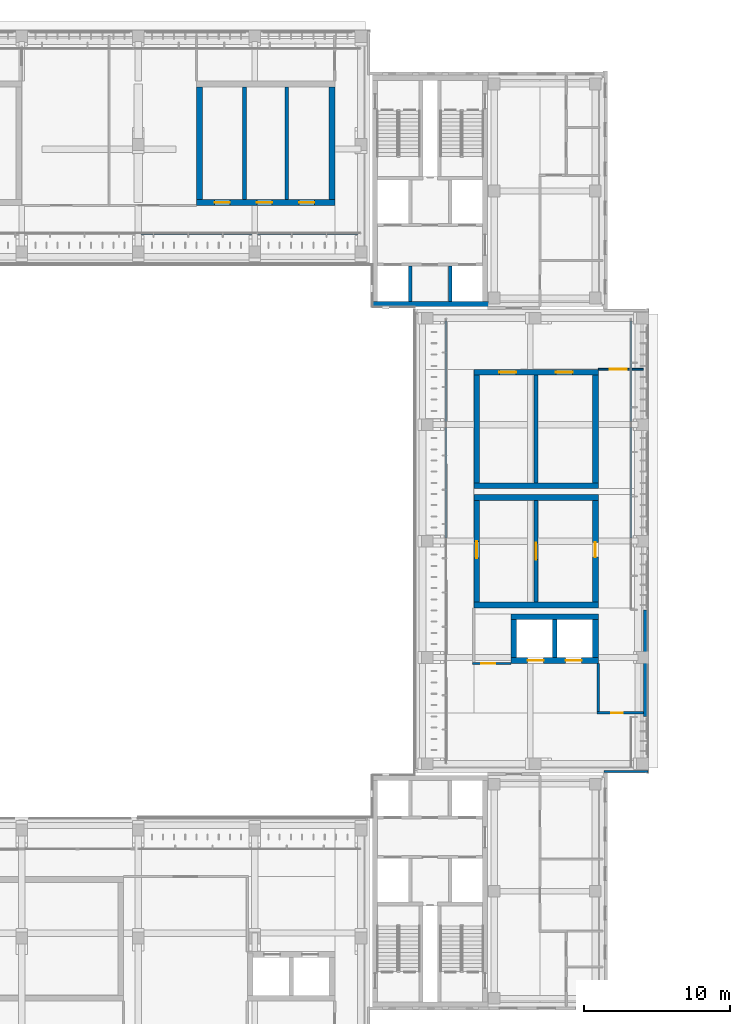
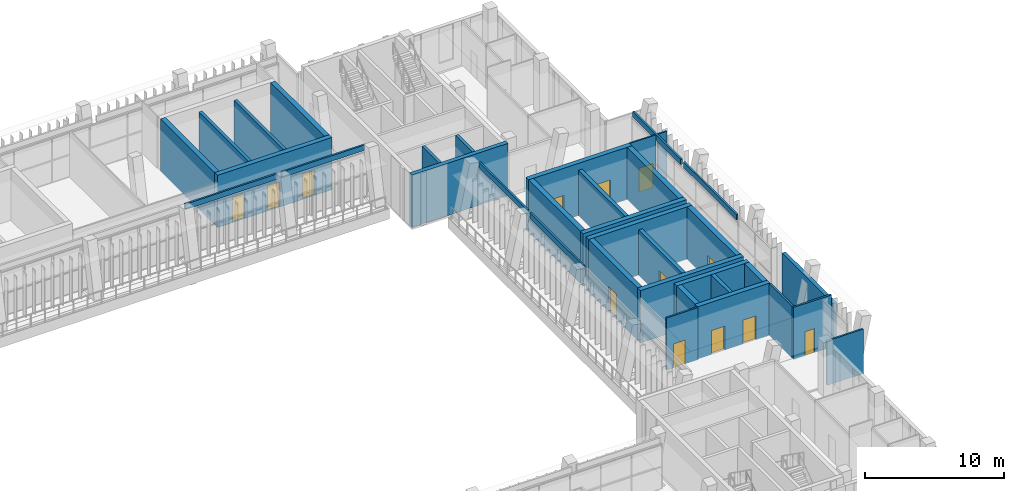
# One storey, part 66 of 89: 36 walls, 13 doors, 13 openings.
"""IFC4 building model written with IfcOpenShell, lengths in metres."""

import ifcopenshell
import ifcopenshell.guid

model = None  # the IFC model being written
_history = None  # IfcOwnerHistory: only IFC2X3 demands one
_inside = {}  # id of a spatial element -> (the spatial element, [elements in it])
_under = {}  # id of a project, library or spatial element -> (it, [spatial elements below it])
_declared = {}  # id of a project -> (the project, [libraries it declares])
_typed = {}  # id of a type object -> (the type object, [elements of that type])
_made_of = {}  # id of a material, layer set ... -> (it, [elements and type objects made of it])


def new_model(schema):
    """Start an empty IFC model of exactly this schema.

    Asked for "IFC4X3", IfcOpenShell would pick the latest addendum, in which some entities
    have other attributes; the version numbers below select the first issue.
    IFC2X3 requires an IfcOwnerHistory on every rooted entity: one is made here for all.
    """
    global model, _history
    if schema == "IFC4X3":
        model = ifcopenshell.file(schema_version=(4, 3, 0, 0))
    else:
        model = ifcopenshell.file(schema=schema)
    _inside.clear()
    _under.clear()
    _declared.clear()
    _typed.clear()
    _made_of.clear()
    _history = None
    if model.schema == "IFC2X3":
        org = make("IfcOrganization", Name="unknown")
        user = make(
            "IfcPersonAndOrganization",
            ThePerson=make("IfcPerson", FamilyName="unknown"),
            TheOrganization=org,
        )
        app = make(
            "IfcApplication",
            ApplicationDeveloper=org,
            Version="unknown",
            ApplicationFullName="unknown",
            ApplicationIdentifier="unknown",
        )
        _history = make(
            "IfcOwnerHistory",
            OwningUser=user,
            OwningApplication=app,
            ChangeAction="ADDED",
            CreationDate=0,
        )
    return model


def make(cls, **values):
    """One entity of the class cls with the attributes given. An attribute that is None is left unset."""
    return model.create_entity(
        cls, **{name: value for name, value in values.items() if value is not None}
    )


def rooted(cls, **values):
    """An entity with a GlobalId (a new one), such as an element, a storey or a relation."""
    return make(cls, GlobalId=ifcopenshell.guid.new(), OwnerHistory=_history, **values)


def si_unit(unit_type, name, prefix=None):
    """IfcSIUnit, for example si_unit("LENGTHUNIT", "METRE", prefix="MILLI")."""
    return make("IfcSIUnit", UnitType=unit_type, Prefix=prefix, Name=name)


def assignment(units):
    """IfcUnitAssignment: the units of a project."""
    return None if units is None else make("IfcUnitAssignment", Units=units)


def point(xyz):
    """IfcCartesianPoint."""
    return None if xyz is None else make("IfcCartesianPoint", Coordinates=xyz)


def direction(xyz):
    """IfcDirection."""
    return None if xyz is None else make("IfcDirection", DirectionRatios=xyz)


def frame(location, z_axis=None, x_axis=None):
    """IfcAxis2Placement3D, a coordinate frame: its origin and axes. An axis left out is left unset."""
    return make(
        "IfcAxis2Placement3D",
        Location=point(location),
        Axis=direction(z_axis),
        RefDirection=direction(x_axis),
    )


def frame_2d(location, x_axis=None):
    """IfcAxis2Placement2D, a coordinate frame in the plane: its origin and x axis."""
    return make(
        "IfcAxis2Placement2D", Location=point(location), RefDirection=direction(x_axis)
    )


def origin():
    """The frame at (0, 0, 0) with its axes left unset."""
    return frame((0.0, 0.0, 0.0))


def place(relative_to, where):
    """IfcLocalPlacement: puts the frame where relative to a parent placement (None: the world)."""
    return make(
        "IfcLocalPlacement", PlacementRelTo=relative_to, RelativePlacement=where
    )


def context(
    kind, dimensions, precision=None, world=None, true_north=None, identifier=None
):
    """IfcGeometricRepresentationContext, for example the 3D "Model" context."""
    return make(
        "IfcGeometricRepresentationContext",
        ContextIdentifier=identifier,
        ContextType=kind,
        CoordinateSpaceDimension=dimensions,
        Precision=precision,
        WorldCoordinateSystem=world,
        TrueNorth=true_north,
    )


def subcontext(parent, identifier, kind, view, scale=None):
    """IfcGeometricRepresentationSubContext, for example "Body" below "Model"."""
    return make(
        "IfcGeometricRepresentationSubContext",
        ContextIdentifier=identifier,
        ContextType=kind,
        ParentContext=parent,
        TargetScale=scale,
        TargetView=view,
    )


def project(units=None, contexts=None):
    """IfcProject with its units and contexts."""
    return rooted(
        "IfcProject",
        Name="project",
        RepresentationContexts=contexts,
        UnitsInContext=assignment(units),
    )


def spatial(cls, under=None, at=None, **own):
    """A site, building, storey or space (cls), placed at a placement, below another one or the project."""
    s = rooted(cls, ObjectPlacement=at, **own)
    if under is not None:
        _under.setdefault(under.id(), (under, []))[1].append(s)
    return s


def profile(cls, at=None, kind="AREA", **sizes):
    """A parametric profile (cls). Its sizes go by their IFC names, for example OverallWidth=200.0."""
    return make(cls, ProfileType=kind, Position=at, **sizes)


def rectangle(**sizes):
    """IfcRectangleProfileDef."""
    return profile("IfcRectangleProfileDef", **sizes)


def extrude(swept, where, along, depth):
    """IfcExtrudedAreaSolid: the profile swept, set in the frame where, extruded along a direction by depth."""
    return make(
        "IfcExtrudedAreaSolid",
        SweptArea=swept,
        Position=where,
        ExtrudedDirection=direction(along),
        Depth=depth,
    )


def shape(context_of_items, identifier, shape_type, items):
    """IfcShapeRepresentation: the items that make up one representation, for example the "Body"."""
    return make(
        "IfcShapeRepresentation",
        ContextOfItems=context_of_items,
        RepresentationIdentifier=identifier,
        RepresentationType=shape_type,
        Items=items,
    )


def material(Name=None, Category=None):
    """IfcMaterial."""
    return make("IfcMaterial", Name=Name, Category=Category)


def layer(
    of_material, thickness, ventilated=None, Name=None, Category=None, Priority=None
):
    """IfcMaterialLayer: one layer of a wall or slab, of a material (None: an air gap)."""
    return make(
        "IfcMaterialLayer",
        Material=of_material,
        LayerThickness=thickness,
        IsVentilated=ventilated,
        Name=Name,
        Category=Category,
        Priority=Priority,
    )


def layer_set(layers, Name=None):
    """IfcMaterialLayerSet."""
    return make("IfcMaterialLayerSet", MaterialLayers=layers, LayerSetName=Name)


def made_of(thing, what):
    """Note that an element or type object is made of a material, layer set ...; save() writes the relation."""
    if what is not None:
        _made_of.setdefault(what.id(), (what, []))[1].append(thing)
    return thing


def type_object(cls, material=None, **own):
    """A type object (cls), such as IfcWallType, which elements share."""
    return made_of(rooted(cls, **own), material)


def element(
    cls,
    number,
    at=None,
    inside=None,
    cuts=None,
    type_object=None,
    material=None,
    context=None,
    identifier="Body",
    shape_type=None,
    held_by="IfcProductDefinitionShape",
    body=None,
    shapes=None,
    **own,
):
    """One element of the class cls, such as IfcWall. Its Tag is "e" and its number.

    at: its placement. inside: the storey or other place that contains it. cuts: it is an
    opening in that element (IfcRelVoidsElement). A single representation is given by context,
    identifier, shape_type and body (its items); several are given by shapes. held_by: the class
    of the entity that holds the representations. save() writes the other relations.
    """
    e = rooted(cls, Tag="e%d" % number, ObjectPlacement=at, **own)
    if body is not None:
        shapes = [shape(context, identifier, shape_type, body)]
    if shapes is not None:
        e.Representation = make(held_by, Representations=shapes)
    if inside is not None:
        _inside.setdefault(inside.id(), (inside, []))[1].append(e)
    if cuts is not None:
        rooted(
            "IfcRelVoidsElement", RelatingBuildingElement=cuts, RelatedOpeningElement=e
        )
    if type_object is not None:
        _typed.setdefault(type_object.id(), (type_object, []))[1].append(e)
    return made_of(e, material)


def fill(opening, filler):
    """IfcRelFillsElement: the door or window that sits in an opening."""
    return rooted(
        "IfcRelFillsElement",
        RelatingOpeningElement=opening,
        RelatedBuildingElement=filler,
    )


def aggregate(whole, parts):
    """IfcRelAggregates: a whole, such as a stair, and the parts it consists of."""
    return rooted("IfcRelAggregates", RelatingObject=whole, RelatedObjects=parts)


def save(model, path):
    """Write the relations noted so far, then the file.

    IfcRelAggregates (storeys below a building ...), IfcRelContainedInSpatialStructure (elements
    in a storey), IfcRelDefinesByType, IfcRelAssociatesMaterial and IfcRelDeclares: one each for
    every whole, place, type object, material and project.
    """
    for whole, parts in _under.values():
        aggregate(whole, parts)
    for where, things in _inside.values():
        rooted(
            "IfcRelContainedInSpatialStructure",
            RelatedElements=things,
            RelatingStructure=where,
        )
    for kind, things in _typed.values():
        rooted("IfcRelDefinesByType", RelatedObjects=things, RelatingType=kind)
    for what, things in _made_of.values():
        rooted("IfcRelAssociatesMaterial", RelatedObjects=things, RelatingMaterial=what)
    for by, libraries in _declared.values():
        rooted("IfcRelDeclares", RelatingContext=by, RelatedDefinitions=libraries)
    model.write(path)


model = new_model("IFC4")

# Units and contexts
model_context = context("Model", 3, precision=1e-05, world=origin(), true_north=direction((0.0, 1.0)))
body_context = subcontext(model_context, "Body", "Model", "MODEL_VIEW")
ifc_project = project(units=[si_unit("LENGTHUNIT", "METRE"), si_unit("AREAUNIT", "SQUARE_METRE"), si_unit("VOLUMEUNIT", "CUBIC_METRE"), si_unit("PLANEANGLEUNIT", "RADIAN"), si_unit("MASSUNIT", "GRAM", prefix="KILO")], contexts=[model_context])

# Site, building, storey
site_placement = place(None, origin())
site = spatial("IfcSite", under=ifc_project, at=site_placement, CompositionType="ELEMENT")
building_placement = place(site_placement, origin())
building = spatial("IfcBuilding", under=site, at=building_placement, Name="Lantern Court Media Centre", CompositionType="ELEMENT")
storey_placement = place(building_placement, frame((0.0, 0.0, 14.39990234375)))
storey = spatial("IfcBuildingStorey", under=building, at=storey_placement, Name="L03", CompositionType="ELEMENT", Elevation=14.39990234375)

# Walls
ifc_material_1 = material(Name="Acoustic gypsum board")
ifc_layer_1 = layer(ifc_material_1, 0.25)
ifc_layer_set_1 = layer_set([ifc_layer_1], Name="Acoustic gypsum board")
wall_type_1 = type_object("IfcWallType", Name="Acoustic partition 250", PredefinedType="PARTITIONING", material=ifc_layer_set_1)
for number, where, z_axis, x_axis, name in (
    (1, (71.300048828125, 103.455078125, 0.0), (0.0, 0.0, 1.0), (0.0, 1.0, 0.0), "L03 partition 020"),
    (2, (74.199951171875, 103.455078125, 0.0), (0.0, 0.0, 1.0), (0.0, 1.0, 0.0), "L03 partition 021"),
):
    element("IfcWall", number, at=place(storey_placement, frame(where, z_axis=z_axis, x_axis=x_axis)), inside=storey, type_object=wall_type_1, Name=name, PredefinedType="PARTITIONING", context=body_context, shape_type="SweptSolid", body=[
        extrude(rectangle(XDim=7.739990234375, YDim=0.25, at=frame_2d((3.8701171875, 0.0))), origin(), (0.0, 0.0, 1.0), 4.080078125),
    ])

# Wall, opening, door
ifc_material_2 = material(Name="Gypsum board partition")
ifc_layer_2 = layer(ifc_material_2, 0.125)
ifc_layer_set_2 = layer_set([ifc_layer_2], Name="Gypsum board partition")
wall_type_2 = type_object("IfcWallType", Name="Corridor partition 125", PredefinedType="PARTITIONING", material=ifc_layer_set_2)
wall_1_placement = place(storey_placement, frame((95.60498046875, 91.800048828125, 0.0), z_axis=(0.0, 0.0, 1.0), x_axis=(1.0, 0.0, 0.0)))
wall_1 = element("IfcWall", 3, at=wall_1_placement, inside=storey, type_object=wall_type_2, Name="L03 partition 035", PredefinedType="PARTITIONING", context=body_context, shape_type="SweptSolid", body=[
    extrude(rectangle(XDim=2.1650390625, YDim=0.125, at=frame_2d((1.08251953125, 0.0))), origin(), (0.0, 0.0, 1.0), 4.56005859375),
])
opening_1_placement = place(wall_1_placement, frame((0.798095703125, 0.0, 0.0)))
opening_1 = element("IfcOpeningElement", 4, at=opening_1_placement, cuts=wall_1, Name="Opening L03-033", PredefinedType="OPENING", context=body_context, shape_type="SweptSolid", body=[
    extrude(rectangle(XDim=1.14990234375, YDim=2.10009765625, at=frame_2d((0.574951171875, 1.050048828125))), frame((0.0, 0.072509765625, 0.0), z_axis=(0.0, -1.0, 0.0), x_axis=(1.0, 0.0, 0.0)), (0.0, 0.0, 1.0), 0.14501953125),
])
ifc_material_3 = material(Name="Solid-core timber door leaf", Category="wood")
door_type_1 = type_object("IfcDoorType", Name="Single door 1150x2100", OperationType="NOTDEFINED", PredefinedType="DOOR", material=ifc_material_3)
door_1_placement = place(opening_1_placement, frame((1.14990234375, 0.0, 0.0), z_axis=(0.0, 0.0, 1.0), x_axis=(-1.0, 0.0, 0.0)))
door_1 = element("IfcDoor", 5, at=door_1_placement, inside=storey, type_object=door_type_1, Name="L03 Sound Library door", OperationType="SINGLE_SWING_RIGHT", OverallHeight=2.10009765625, OverallWidth=1.14990234375, PredefinedType="DOOR", context=body_context, shape_type="SweptSolid", body=[
    extrude(rectangle(XDim=1.14990234375, YDim=2.10009765625, at=frame_2d((0.574951171875, 1.050048828125))), frame((0.0, 0.02490234375, 0.0), z_axis=(0.0, -1.0, 0.0), x_axis=(1.0, 0.0, 0.0)), (0.0, 0.0, 1.0), 0.050048828125),
])
fill(opening_1, door_1)

# Walls
wall_2_placement = place(storey_placement, frame((97.929931640625, 91.800048828125, 0.0), z_axis=(0.0, 0.0, 1.0), x_axis=(1.0, 0.0, 0.0)))
element("IfcWall", 6, at=wall_2_placement, inside=storey, type_object=wall_type_2, Name="L03 partition 036", PredefinedType="PARTITIONING", context=body_context, shape_type="SweptSolid", body=[
    extrude(rectangle(XDim=0.77001953125, YDim=0.125, at=frame_2d((0.385009765625, 0.0))), origin(), (0.0, 0.0, 1.0), 4.56005859375),
])
ifc_material_4 = material(Name="Insulated rendered blockwork", Category="masonry")
ifc_layer_3 = layer(ifc_material_4, 0.14990234375)
ifc_layer_set_3 = layer_set([ifc_layer_3], Name="Insulated rendered blockwork")
wall_type_3 = type_object("IfcWallType", Name="Head infill wall 150", PredefinedType="SOLIDWALL", material=ifc_layer_set_3)
wall_3_placement = place(storey_placement, frame((64.199951171875, 101.14990234375, 4.10009765625), z_axis=(0.0, 0.0, 1.0), x_axis=(1.0, 0.0, 0.0)))
element("IfcWall", 7, at=wall_3_placement, inside=storey, type_object=wall_type_3, Name="Head infill wall N inner L03", PredefinedType="SOLIDWALL", context=body_context, shape_type="SweptSolid", body=[
    extrude(rectangle(XDim=7.60009765625, YDim=0.14990234375, at=frame_2d((3.800048828125, 0.0))), origin(), (0.0, 0.0, 1.0), 0.47998046875),
])
wall_4_placement = place(storey_placement, frame((72.199951171875, 101.14990234375, 4.10009765625), z_axis=(0.0, 0.0, 1.0), x_axis=(1.0, 0.0, 0.0)))
element("IfcWall", 8, at=wall_4_placement, inside=storey, type_object=wall_type_3, Name="Head infill wall N inner L03", PredefinedType="SOLIDWALL", context=body_context, shape_type="SweptSolid", body=[
    extrude(rectangle(XDim=6.900146484375, YDim=0.14990234375, at=frame_2d((3.4501953125, 0.0))), origin(), (0.0, 0.0, 1.0), 0.47998046875),
])
wall_5_placement = place(storey_placement, frame((97.85009765625, 80.199951171875, 4.10009765625), z_axis=(0.0, 0.0, 1.0), x_axis=(0.0, 1.0, 0.0)))
element("IfcWall", 9, at=wall_5_placement, inside=storey, type_object=wall_type_3, Name="Head infill wall E outer L03", PredefinedType="SOLIDWALL", context=body_context, shape_type="SweptSolid", body=[
    extrude(rectangle(XDim=7.60009765625, YDim=0.14990234375, at=frame_2d((3.800048828125, 0.0))), origin(), (0.0, 0.0, 1.0), 0.47998046875),
])
wall_6_placement = place(storey_placement, frame((97.85009765625, 88.199951171875, 4.10009765625), z_axis=(0.0, 0.0, 1.0), x_axis=(0.0, 1.0, 0.0)))
element("IfcWall", 10, at=wall_6_placement, inside=storey, type_object=wall_type_3, Name="Head infill wall E outer L03", PredefinedType="SOLIDWALL", context=body_context, shape_type="SweptSolid", body=[
    extrude(rectangle(XDim=6.900146484375, YDim=0.14990234375, at=frame_2d((3.4501953125, 0.0))), origin(), (0.0, 0.0, 1.0), 0.47998046875),
])
wall_7_placement = place(storey_placement, frame((85.14990234375, 80.199951171875, 4.10009765625), z_axis=(0.0, 0.0, 1.0), x_axis=(0.0, 1.0, 0.0)))
element("IfcWall", 11, at=wall_7_placement, inside=storey, type_object=wall_type_3, Name="Head infill wall E inner L03", PredefinedType="SOLIDWALL", context=body_context, shape_type="SweptSolid", body=[
    extrude(rectangle(XDim=7.60009765625, YDim=0.14990234375, at=frame_2d((3.800048828125, 0.0))), origin(), (0.0, 0.0, 1.0), 0.47998046875),
])
wall_8_placement = place(storey_placement, frame((85.14990234375, 88.199951171875, 4.10009765625), z_axis=(0.0, 0.0, 1.0), x_axis=(0.0, 1.0, 0.0)))
element("IfcWall", 12, at=wall_8_placement, inside=storey, type_object=wall_type_3, Name="Head infill wall E inner L03", PredefinedType="SOLIDWALL", context=body_context, shape_type="SweptSolid", body=[
    extrude(rectangle(XDim=6.900146484375, YDim=0.14990234375, at=frame_2d((3.4501953125, 0.0))), origin(), (0.0, 0.0, 1.0), 0.47998046875),
])
ifc_material_5 = material(Name="Honed limestone cladding on blockwork", Category="masonry")
ifc_layer_4 = layer(ifc_material_5, 0.139892578125)
ifc_layer_set_4 = layer_set([ifc_layer_4], Name="Honed limestone cladding on blockwork")
wall_type_4 = type_object("IfcWallType", Name="Limestone closure wall 140", PredefinedType="SOLIDWALL", material=ifc_layer_set_4)
wall_9_placement = place(storey_placement, frame((96.0, 64.169921875, 0.0), z_axis=(0.0, 0.0, 1.0), x_axis=(1.0, 0.0, 0.0)))
element("IfcWall", 13, at=wall_9_placement, inside=storey, type_object=wall_type_4, Name="Limestone closure wall E-SE L03", PredefinedType="SOLIDWALL", context=body_context, shape_type="SweptSolid", body=[
    extrude(rectangle(XDim=3.0, YDim=0.139892578125, at=frame_2d((1.5, 0.0))), origin(), (0.0, 0.0, 1.0), 3.900146484375),
])
ifc_layer_5 = layer(ifc_material_5, 0.300048828125)
ifc_layer_set_5 = layer_set([ifc_layer_5], Name="Honed limestone cladding on blockwork")
wall_type_5 = type_object("IfcWallType", Name="Limestone flank wall 300", PredefinedType="SOLIDWALL", material=ifc_layer_set_5)
wall_10_placement = place(storey_placement, frame((98.85009765625, 67.949951171875, 0.0), z_axis=(0.0, 0.0, 1.0), x_axis=(0.0, 1.0, 0.0)))
element("IfcWall", 14, at=wall_10_placement, inside=storey, type_object=wall_type_5, Name="Limestone flank wall E outer L03", PredefinedType="SOLIDWALL", context=body_context, shape_type="SweptSolid", body=[
    extrude(rectangle(XDim=7.300048828125, YDim=0.300048828125, at=frame_2d((3.64990234375, 0.0))), origin(), (0.0, 0.0, 1.0), 3.900146484375),
])

# Wall, opening, door
ifc_material_6 = material(Name="Concrete blockwork C20", Category="masonry")
ifc_layer_6 = layer(ifc_material_6, 0.14990234375)
ifc_layer_set_6 = layer_set([ifc_layer_6], Name="Concrete blockwork C20")
wall_type_6 = type_object("IfcWallType", Name="Partition 150 masonry", PredefinedType="PARTITIONING", material=ifc_layer_set_6)
wall_11_placement = place(storey_placement, frame((86.97509765625, 71.60009765625, 0.0), z_axis=(0.0, 0.0, 1.0), x_axis=(1.0, 0.0, 0.0)))
wall_11 = element("IfcWall", 15, at=wall_11_placement, inside=storey, type_object=wall_type_6, Name="L03 partition 040", PredefinedType="PARTITIONING", context=body_context, shape_type="SweptSolid", body=[
    extrude(rectangle(XDim=2.619873046875, YDim=0.14990234375, at=frame_2d((1.31005859375, 0.0))), origin(), (0.0, 0.0, 1.0), 4.56005859375),
])
opening_2_placement = place(wall_11_placement, frame((0.60009765625, 0.0, 0.0)))
opening_2 = element("IfcOpeningElement", 16, at=opening_2_placement, cuts=wall_11, Name="Opening L03-026", PredefinedType="OPENING", context=body_context, shape_type="SweptSolid", body=[
    extrude(rectangle(XDim=0.949951171875, YDim=2.10009765625, at=frame_2d((0.47509765625, 1.050048828125))), frame((0.0, 0.0849609375, 0.0), z_axis=(0.0, -1.0, 0.0), x_axis=(1.0, 0.0, 0.0)), (0.0, 0.0, 1.0), 0.169921875),
])
door_type_2 = type_object("IfcDoorType", Name="Accessible WC door 950x2100", OperationType="NOTDEFINED", PredefinedType="DOOR", material=ifc_material_3)
door_2_placement = place(opening_2_placement, origin())
door_2 = element("IfcDoor", 17, at=door_2_placement, inside=storey, type_object=door_type_2, Name="L03 Accessible WC door", OperationType="SINGLE_SWING_LEFT", OverallHeight=2.10009765625, OverallWidth=0.949951171875, PredefinedType="DOOR", context=body_context, shape_type="SweptSolid", body=[
    extrude(rectangle(XDim=0.949951171875, YDim=2.10009765625, at=frame_2d((0.47509765625, 1.050048828125))), frame((0.0, 0.02490234375, 0.0), z_axis=(0.0, -1.0, 0.0), x_axis=(1.0, 0.0, 0.0)), (0.0, 0.0, 1.0), 0.050048828125),
])
fill(opening_2, door_2)

# Walls
ifc_material_7 = material(Name="Concrete C40", Category="concrete")
ifc_layer_7 = layer(ifc_material_7, 0.35009765625)
ifc_layer_set_7 = layer_set([ifc_layer_7], Name="Concrete C40")
wall_type_7 = type_object("IfcWallType", Name="RC CORE WALL 350", PredefinedType="SHEAR", material=ifc_layer_set_7)
wall_12_placement = place(storey_placement, frame((80.10009765625, 96.27490234375, 0.0), z_axis=(0.0, 0.0, 1.0), x_axis=(1.0, 0.0, 0.0)))
element("IfcWall", 18, at=wall_12_placement, inside=storey, type_object=wall_type_7, Name="WC-NE-L03-S", PredefinedType="SHEAR", context=body_context, shape_type="SweptSolid", body=[
    extrude(rectangle(XDim=7.949951171875, YDim=0.35009765625, at=frame_2d((3.97509765625, 0.0))), origin(), (0.0, 0.0, 1.0), 4.580078125),
])
ifc_layer_8 = layer(ifc_material_7, 0.300048828125)
ifc_layer_set_8 = layer_set([ifc_layer_8], Name="Concrete C40")
wall_type_8 = type_object("IfcWallType", Name="RC SHEAR WALL 300", PredefinedType="SHEAR", material=ifc_layer_set_8)
wall_13_placement = place(storey_placement, frame((92.60009765625, 72.0, 0.0), z_axis=(0.0, 0.0, 1.0), x_axis=(0.0, 1.0, 0.0)))
element("IfcWall", 19, at=wall_13_placement, inside=storey, type_object=wall_type_8, Name="WB-E-LC-L03-D", PredefinedType="SHEAR", context=body_context, shape_type="SweptSolid", body=[
    extrude(rectangle(XDim=2.60009765625, YDim=0.300048828125, at=frame_2d((1.300048828125, 0.0))), origin(), (0.0, 0.0, 1.0), 4.580078125),
])

# Wall, openings, doors
ifc_layer_9 = layer(ifc_material_7, 0.39990234375)
ifc_layer_set_9 = layer_set([ifc_layer_9], Name="Concrete C40")
wall_type_9 = type_object("IfcWallType", Name="RC SHEAR WALL 400", PredefinedType="SHEAR", material=ifc_layer_set_9)
wall_14_placement = place(storey_placement, frame((89.60009765625, 71.800048828125, 0.0), z_axis=(0.0, 0.0, 1.0), x_axis=(1.0, 0.0, 0.0)))
wall_14 = element("IfcWall", 20, at=wall_14_placement, inside=storey, type_object=wall_type_9, Name="WB-E-LC-L03-S", PredefinedType="SHEAR", context=body_context, shape_type="SweptSolid", body=[
    extrude(rectangle(XDim=6.0, YDim=0.39990234375, at=frame_2d((3.0, 0.0))), origin(), (0.0, 0.0, 1.0), 4.580078125),
])
opening_3_placement = place(wall_14_placement, frame((1.14990234375, 0.0, 0.0)))
opening_3 = element("IfcOpeningElement", 21, at=opening_3_placement, cuts=wall_14, Name="Opening LD-E-LCP-L03", PredefinedType="OPENING", context=body_context, shape_type="SweptSolid", body=[
    extrude(rectangle(XDim=1.10009765625, YDim=2.10009765625, at=frame_2d((0.550048828125, 1.050048828125))), frame((0.0, 0.2099609375, 0.0), z_axis=(0.0, -1.0, 0.0), x_axis=(1.0, 0.0, 0.0)), (0.0, 0.0, 1.0), 0.419921875),
])
opening_4_placement = place(wall_14_placement, frame((3.75, 0.0, 0.0)))
opening_4 = element("IfcOpeningElement", 22, at=opening_4_placement, cuts=wall_14, Name="Opening LD-E-LCS-L03", PredefinedType="OPENING", context=body_context, shape_type="SweptSolid", body=[
    extrude(rectangle(XDim=1.10009765625, YDim=2.10009765625, at=frame_2d((0.550048828125, 1.050048828125))), frame((0.0, 0.2099609375, 0.0), z_axis=(0.0, -1.0, 0.0), x_axis=(1.0, 0.0, 0.0)), (0.0, 0.0, 1.0), 0.419921875),
])
ifc_material_8 = material(Name="Steel door leaf", Category="steel")
door_type_3 = type_object("IfcDoorType", Name="Lift landing door 1100x2100", OperationType="DOUBLE_DOOR_SLIDING", PredefinedType="DOOR", material=ifc_material_8)
door_3_placement = place(opening_3_placement, frame((1.10009765625, 0.0, 0.0), z_axis=(0.0, 0.0, 1.0), x_axis=(-1.0, 0.0, 0.0)))
door_3 = element("IfcDoor", 23, at=door_3_placement, inside=storey, type_object=door_type_3, Name="L03 E-LC passenger lift landing door", OperationType="DOUBLE_DOOR_SLIDING", OverallHeight=2.10009765625, OverallWidth=1.10009765625, PredefinedType="DOOR", context=body_context, shape_type="SweptSolid", body=[
    extrude(rectangle(XDim=1.10009765625, YDim=2.10009765625, at=frame_2d((0.550048828125, 1.050048828125))), frame((0.0, 0.02490234375, 0.0), z_axis=(0.0, -1.0, 0.0), x_axis=(1.0, 0.0, 0.0)), (0.0, 0.0, 1.0), 0.050048828125),
])
fill(opening_3, door_3)
door_4_placement = place(opening_4_placement, frame((1.10009765625, 0.0, 0.0), z_axis=(0.0, 0.0, 1.0), x_axis=(-1.0, 0.0, 0.0)))
door_4 = element("IfcDoor", 24, at=door_4_placement, inside=storey, type_object=door_type_3, Name="L03 E-LC service lift landing door", OperationType="DOUBLE_DOOR_SLIDING", OverallHeight=2.10009765625, OverallWidth=1.10009765625, PredefinedType="DOOR", context=body_context, shape_type="SweptSolid", body=[
    extrude(rectangle(XDim=1.10009765625, YDim=2.10009765625, at=frame_2d((0.550048828125, 1.050048828125))), frame((0.0, 0.02490234375, 0.0), z_axis=(0.0, -1.0, 0.0), x_axis=(1.0, 0.0, 0.0)), (0.0, 0.0, 1.0), 0.050048828125),
])
fill(opening_4, door_4)

# Walls
wall_15_placement = place(storey_placement, frame((89.60009765625, 74.800048828125, 0.0), z_axis=(0.0, 0.0, 1.0), x_axis=(1.0, 0.0, 0.0)))
element("IfcWall", 25, at=wall_15_placement, inside=storey, type_object=wall_type_9, Name="WB-E-LC-L03-N", PredefinedType="SHEAR", context=body_context, shape_type="SweptSolid", body=[
    extrude(rectangle(XDim=6.0, YDim=0.39990234375, at=frame_2d((3.0, 0.0))), origin(), (0.0, 0.0, 1.0), 4.580078125),
])
for number, where, z_axis, x_axis, name in (
    (26, (89.800048828125, 72.0, 0.0), (0.0, 0.0, 1.0), (0.0, 1.0, 0.0), "WB-E-LC-L03-W"),
    (27, (95.39990234375, 72.0, 0.0), (0.0, 0.0, 1.0), (0.0, 1.0, 0.0), "WB-E-LC-L03-E"),
):
    element("IfcWall", number, at=place(storey_placement, frame(where, z_axis=z_axis, x_axis=x_axis)), inside=storey, type_object=wall_type_9, Name=name, PredefinedType="SHEAR", context=body_context, shape_type="SweptSolid", body=[
        extrude(rectangle(XDim=2.60009765625, YDim=0.39990234375, at=frame_2d((1.300048828125, 0.0))), origin(), (0.0, 0.0, 1.0), 4.580078125),
    ])
for number, where, z_axis, x_axis, name in (
    (28, (87.050048828125, 75.60009765625, 0.0), (0.0, 0.0, 1.0), (1.0, 0.0, 0.0), "WB-E-REC3-L03-S"),
    (29, (87.050048828125, 83.0, 0.0), (0.0, 0.0, 1.0), (1.0, 0.0, 0.0), "WB-E-REC3-L03-N"),
):
    element("IfcWall", number, at=place(storey_placement, frame(where, z_axis=z_axis, x_axis=x_axis)), inside=storey, type_object=wall_type_9, Name=name, PredefinedType="SHEAR", context=body_context, shape_type="SweptSolid", body=[
        extrude(rectangle(XDim=8.550048828125, YDim=0.39990234375, at=frame_2d((4.27490234375, 0.0))), origin(), (0.0, 0.0, 1.0), 4.580078125),
    ])

# Wall, opening, door
wall_16_placement = place(storey_placement, frame((87.25, 75.800048828125, 0.0), z_axis=(0.0, 0.0, 1.0), x_axis=(0.0, 1.0, 0.0)))
wall_16 = element("IfcWall", 30, at=wall_16_placement, inside=storey, type_object=wall_type_9, Name="WB-E-REC3-L03-W", PredefinedType="SHEAR", context=body_context, shape_type="SweptSolid", body=[
    extrude(rectangle(XDim=7.0, YDim=0.39990234375, at=frame_2d((3.5, 0.0))), origin(), (0.0, 0.0, 1.0), 4.580078125),
])
opening_5_placement = place(wall_16_placement, frame((3.02587890625, 0.0, 0.0)))
opening_5 = element("IfcOpeningElement", 31, at=opening_5_placement, cuts=wall_16, Name="Opening L03-028", PredefinedType="OPENING", context=body_context, shape_type="SweptSolid", body=[
    extrude(rectangle(XDim=1.14990234375, YDim=2.199951171875, at=frame_2d((0.574951171875, 1.10009765625))), frame((0.0, 0.2099609375, 0.0), z_axis=(0.0, -1.0, 0.0), x_axis=(1.0, 0.0, 0.0)), (0.0, 0.0, 1.0), 0.419921875),
])
ifc_material_9 = material(Name="Acoustic timber door leaf", Category="wood")
door_type_4 = type_object("IfcDoorType", Name="Recording booth sound-lock door 1150x2200", OperationType="NOTDEFINED", PredefinedType="DOOR", material=ifc_material_9)
door_5_placement = place(opening_5_placement, frame((1.14990234375, 0.0, 0.0), z_axis=(0.0, 0.0, 1.0), x_axis=(-1.0, 0.0, 0.0)))
door_5 = element("IfcDoor", 32, at=door_5_placement, inside=storey, type_object=door_type_4, Name="L03 Recording Studio 03 door", OperationType="SINGLE_SWING_LEFT", OverallHeight=2.199951171875, OverallWidth=1.14990234375, PredefinedType="DOOR", context=body_context, shape_type="SweptSolid", body=[
    extrude(rectangle(XDim=1.14990234375, YDim=2.199951171875, at=frame_2d((0.574951171875, 1.10009765625))), frame((0.0, 0.02490234375, 0.0), z_axis=(0.0, -1.0, 0.0), x_axis=(1.0, 0.0, 0.0)), (0.0, 0.0, 1.0), 0.050048828125),
])
fill(opening_5, door_5)

wall_17_placement = place(storey_placement, frame((95.39990234375, 75.800048828125, 0.0), z_axis=(0.0, 0.0, 1.0), x_axis=(0.0, 1.0, 0.0)))
wall_17 = element("IfcWall", 33, at=wall_17_placement, inside=storey, type_object=wall_type_9, Name="WB-E-REC3-L03-E", PredefinedType="SHEAR", context=body_context, shape_type="SweptSolid", body=[
    extrude(rectangle(XDim=7.0, YDim=0.39990234375, at=frame_2d((3.5, 0.0))), origin(), (0.0, 0.0, 1.0), 4.580078125),
])
opening_6_placement = place(wall_17_placement, frame((3.10400390625, 0.0, 0.0)))
opening_6 = element("IfcOpeningElement", 34, at=opening_6_placement, cuts=wall_17, Name="Opening L03-030", PredefinedType="OPENING", context=body_context, shape_type="SweptSolid", body=[
    extrude(rectangle(XDim=1.0, YDim=2.10009765625, at=frame_2d((0.5, 1.050048828125))), frame((0.0, 0.2099609375, 0.0), z_axis=(0.0, -1.0, 0.0), x_axis=(1.0, 0.0, 0.0)), (0.0, 0.0, 1.0), 0.419921875),
])
door_type_5 = type_object("IfcDoorType", Name="Single door 1000x2100", OperationType="NOTDEFINED", PredefinedType="DOOR", material=ifc_material_3)
door_6_placement = place(opening_6_placement, frame((1.0, 0.0, 0.0), z_axis=(0.0, 0.0, 1.0), x_axis=(-1.0, 0.0, 0.0)))
door_6 = element("IfcDoor", 35, at=door_6_placement, inside=storey, type_object=door_type_5, Name="L03 Sound Library door", OperationType="SINGLE_SWING_LEFT", OverallHeight=2.10009765625, OverallWidth=1.0, PredefinedType="DOOR", context=body_context, shape_type="SweptSolid", body=[
    extrude(rectangle(XDim=1.0, YDim=2.10009765625, at=frame_2d((0.5, 1.050048828125))), frame((0.0, 0.02490234375, 0.0), z_axis=(0.0, -1.0, 0.0), x_axis=(1.0, 0.0, 0.0)), (0.0, 0.0, 1.0), 0.050048828125),
])
fill(opening_6, door_6)

# Wall
wall_18_placement = place(storey_placement, frame((87.050048828125, 83.800048828125, 0.0), z_axis=(0.0, 0.0, 1.0), x_axis=(1.0, 0.0, 0.0)))
element("IfcWall", 36, at=wall_18_placement, inside=storey, type_object=wall_type_9, Name="WB-E-REC4-L03-S", PredefinedType="SHEAR", context=body_context, shape_type="SweptSolid", body=[
    extrude(rectangle(XDim=8.550048828125, YDim=0.39990234375, at=frame_2d((4.27490234375, 0.0))), origin(), (0.0, 0.0, 1.0), 4.580078125),
])

# Wall, openings, doors
wall_19_placement = place(storey_placement, frame((87.050048828125, 91.60009765625, 0.0), z_axis=(0.0, 0.0, 1.0), x_axis=(1.0, 0.0, 0.0)))
wall_19 = element("IfcWall", 37, at=wall_19_placement, inside=storey, type_object=wall_type_9, Name="WB-E-REC4-L03-N", PredefinedType="SHEAR", context=body_context, shape_type="SweptSolid", body=[
    extrude(rectangle(XDim=8.550048828125, YDim=0.39990234375, at=frame_2d((4.27490234375, 0.0))), origin(), (0.0, 0.0, 1.0), 4.580078125),
])
opening_7_placement = place(wall_19_placement, frame((1.762451171875, 0.0, 0.0)))
opening_7 = element("IfcOpeningElement", 38, at=opening_7_placement, cuts=wall_19, Name="Opening L03-031", PredefinedType="OPENING", context=body_context, shape_type="SweptSolid", body=[
    extrude(rectangle(XDim=1.14990234375, YDim=2.199951171875, at=frame_2d((0.574951171875, 1.10009765625))), frame((0.0, 0.2099609375, 0.0), z_axis=(0.0, -1.0, 0.0), x_axis=(1.0, 0.0, 0.0)), (0.0, 0.0, 1.0), 0.419921875),
])
opening_8_placement = place(wall_19_placement, frame((5.637451171875, 0.0, 0.0)))
opening_8 = element("IfcOpeningElement", 39, at=opening_8_placement, cuts=wall_19, Name="Opening L03-032", PredefinedType="OPENING", context=body_context, shape_type="SweptSolid", body=[
    extrude(rectangle(XDim=1.14990234375, YDim=2.199951171875, at=frame_2d((0.574951171875, 1.10009765625))), frame((0.0, 0.2099609375, 0.0), z_axis=(0.0, -1.0, 0.0), x_axis=(1.0, 0.0, 0.0)), (0.0, 0.0, 1.0), 0.419921875),
])
door_7_placement = place(opening_7_placement, frame((1.14990234375, 0.0, 0.0), z_axis=(0.0, 0.0, 1.0), x_axis=(-1.0, 0.0, 0.0)))
door_7 = element("IfcDoor", 40, at=door_7_placement, inside=storey, type_object=door_type_4, Name="L03 Recording Studio 04 door", OperationType="SINGLE_SWING_RIGHT", OverallHeight=2.199951171875, OverallWidth=1.14990234375, PredefinedType="DOOR", context=body_context, shape_type="SweptSolid", body=[
    extrude(rectangle(XDim=1.14990234375, YDim=2.199951171875, at=frame_2d((0.574951171875, 1.10009765625))), frame((0.0, 0.02490234375, 0.0), z_axis=(0.0, -1.0, 0.0), x_axis=(1.0, 0.0, 0.0)), (0.0, 0.0, 1.0), 0.050048828125),
])
fill(opening_7, door_7)
door_8_placement = place(opening_8_placement, frame((1.14990234375, 0.0, 0.0), z_axis=(0.0, 0.0, 1.0), x_axis=(-1.0, 0.0, 0.0)))
door_8 = element("IfcDoor", 41, at=door_8_placement, inside=storey, type_object=door_type_4, Name="L03 Recording Control Room 04 door", OperationType="SINGLE_SWING_LEFT", OverallHeight=2.199951171875, OverallWidth=1.14990234375, PredefinedType="DOOR", context=body_context, shape_type="SweptSolid", body=[
    extrude(rectangle(XDim=1.14990234375, YDim=2.199951171875, at=frame_2d((0.574951171875, 1.10009765625))), frame((0.0, 0.02490234375, 0.0), z_axis=(0.0, -1.0, 0.0), x_axis=(1.0, 0.0, 0.0)), (0.0, 0.0, 1.0), 0.050048828125),
])
fill(opening_8, door_8)

# Walls
for number, where, z_axis, x_axis, name in (
    (42, (87.25, 84.0, 0.0), (0.0, 0.0, 1.0), (0.0, 1.0, 0.0), "WB-E-REC4-L03-W"),
    (43, (95.39990234375, 84.0, 0.0), (0.0, 0.0, 1.0), (0.0, 1.0, 0.0), "WB-E-REC4-L03-E"),
):
    element("IfcWall", number, at=place(storey_placement, frame(where, z_axis=z_axis, x_axis=x_axis)), inside=storey, type_object=wall_type_9, Name=name, PredefinedType="SHEAR", context=body_context, shape_type="SweptSolid", body=[
        extrude(rectangle(XDim=7.39990234375, YDim=0.39990234375, at=frame_2d((3.699951171875, 0.0))), origin(), (0.0, 0.0, 1.0), 4.580078125),
    ])

# Wall, openings, doors
wall_20_placement = place(storey_placement, frame((68.0, 103.25, 0.0), z_axis=(0.0, 0.0, 1.0), x_axis=(1.0, 0.0, 0.0)))
wall_20 = element("IfcWall", 44, at=wall_20_placement, inside=storey, type_object=wall_type_9, Name="WB-N-EDB-L03-S", PredefinedType="SHEAR", context=body_context, shape_type="SweptSolid", body=[
    extrude(rectangle(XDim=9.5, YDim=0.39990234375, at=frame_2d((4.75, 0.0))), origin(), (0.0, 0.0, 1.0), 4.580078125),
])
opening_9_placement = place(wall_20_placement, frame((1.25, 0.0, 0.0)))
opening_9 = element("IfcOpeningElement", 45, at=opening_9_placement, cuts=wall_20, Name="Opening L03-015", PredefinedType="OPENING", context=body_context, shape_type="SweptSolid", body=[
    extrude(rectangle(XDim=1.050048828125, YDim=2.199951171875, at=frame_2d((0.52490234375, 1.10009765625))), frame((0.0, 0.2099609375, 0.0), z_axis=(0.0, -1.0, 0.0), x_axis=(1.0, 0.0, 0.0)), (0.0, 0.0, 1.0), 0.419921875),
])
opening_10_placement = place(wall_20_placement, frame((4.14990234375, 0.0, 0.0)))
opening_10 = element("IfcOpeningElement", 46, at=opening_10_placement, cuts=wall_20, Name="Opening L03-016", PredefinedType="OPENING", context=body_context, shape_type="SweptSolid", body=[
    extrude(rectangle(XDim=1.050048828125, YDim=2.199951171875, at=frame_2d((0.52490234375, 1.10009765625))), frame((0.0, 0.2099609375, 0.0), z_axis=(0.0, -1.0, 0.0), x_axis=(1.0, 0.0, 0.0)), (0.0, 0.0, 1.0), 0.419921875),
])
opening_11_placement = place(wall_20_placement, frame((7.050048828125, 0.0, 0.0)))
opening_11 = element("IfcOpeningElement", 47, at=opening_11_placement, cuts=wall_20, Name="Opening L03-017", PredefinedType="OPENING", context=body_context, shape_type="SweptSolid", body=[
    extrude(rectangle(XDim=1.050048828125, YDim=2.199951171875, at=frame_2d((0.52490234375, 1.10009765625))), frame((0.0, 0.2099609375, 0.0), z_axis=(0.0, -1.0, 0.0), x_axis=(1.0, 0.0, 0.0)), (0.0, 0.0, 1.0), 0.419921875),
])
door_type_6 = type_object("IfcDoorType", Name="Edit suite sound-lock door 1050x2200", OperationType="NOTDEFINED", PredefinedType="DOOR", material=ifc_material_9)
door_9_placement = place(opening_9_placement, origin())
door_9 = element("IfcDoor", 48, at=door_9_placement, inside=storey, type_object=door_type_6, Name="L03 Editing Suite 19 door", OperationType="SINGLE_SWING_RIGHT", OverallHeight=2.199951171875, OverallWidth=1.050048828125, PredefinedType="DOOR", context=body_context, shape_type="SweptSolid", body=[
    extrude(rectangle(XDim=1.050048828125, YDim=2.199951171875, at=frame_2d((0.52490234375, 1.10009765625))), frame((0.0, 0.02490234375, 0.0), z_axis=(0.0, -1.0, 0.0), x_axis=(1.0, 0.0, 0.0)), (0.0, 0.0, 1.0), 0.050048828125),
])
fill(opening_9, door_9)
door_10_placement = place(opening_10_placement, origin())
door_10 = element("IfcDoor", 49, at=door_10_placement, inside=storey, type_object=door_type_6, Name="L03 Editing Suite 20 door", OperationType="SINGLE_SWING_LEFT", OverallHeight=2.199951171875, OverallWidth=1.050048828125, PredefinedType="DOOR", context=body_context, shape_type="SweptSolid", body=[
    extrude(rectangle(XDim=1.050048828125, YDim=2.199951171875, at=frame_2d((0.52490234375, 1.10009765625))), frame((0.0, 0.02490234375, 0.0), z_axis=(0.0, -1.0, 0.0), x_axis=(1.0, 0.0, 0.0)), (0.0, 0.0, 1.0), 0.050048828125),
])
fill(opening_10, door_10)
door_11_placement = place(opening_11_placement, origin())
door_11 = element("IfcDoor", 50, at=door_11_placement, inside=storey, type_object=door_type_6, Name="L03 Editing Suite 21 door", OperationType="SINGLE_SWING_RIGHT", OverallHeight=2.199951171875, OverallWidth=1.050048828125, PredefinedType="DOOR", context=body_context, shape_type="SweptSolid", body=[
    extrude(rectangle(XDim=1.050048828125, YDim=2.199951171875, at=frame_2d((0.52490234375, 1.10009765625))), frame((0.0, 0.02490234375, 0.0), z_axis=(0.0, -1.0, 0.0), x_axis=(1.0, 0.0, 0.0)), (0.0, 0.0, 1.0), 0.050048828125),
])
fill(opening_11, door_11)

# Walls
for number, where, z_axis, x_axis, name in (
    (51, (68.199951171875, 103.449951171875, 0.0), (0.0, 0.0, 1.0), (0.0, 1.0, 0.0), "WB-N-EDB-L03-W"),
    (52, (77.300048828125, 103.449951171875, 0.0), (0.0, 0.0, 1.0), (0.0, 1.0, 0.0), "WB-N-EDB-L03-E"),
):
    element("IfcWall", number, at=place(storey_placement, frame(where, z_axis=z_axis, x_axis=x_axis)), inside=storey, type_object=wall_type_9, Name=name, PredefinedType="SHEAR", context=body_context, shape_type="SweptSolid", body=[
        extrude(rectangle(XDim=7.75, YDim=0.39990234375, at=frame_2d((3.875, 0.0))), origin(), (0.0, 0.0, 1.0), 4.580078125),
    ])
ifc_layer_10 = layer(ifc_material_7, 0.25)
ifc_layer_set_10 = layer_set([ifc_layer_10], Name="Concrete C40")
wall_type_10 = type_object("IfcWallType", Name="RC lift shaft wall 250", PredefinedType="SOLIDWALL", material=ifc_layer_set_10)
for number, where, z_axis, x_axis, name in (
    (53, (85.425048828125, 98.89990234375, 0.0), (0.0, 0.0, 1.0), (0.0, -1.0, 0.0), "L03 NE L1b"),
    (54, (82.675048828125, 98.89990234375, 0.0), (0.0, 0.0, 1.0), (0.0, -1.0, 0.0), "L03 NE L2b"),
):
    element("IfcWall", number, at=place(storey_placement, frame(where, z_axis=z_axis, x_axis=x_axis)), inside=storey, type_object=wall_type_10, Name=name, PredefinedType="SOLIDWALL", context=body_context, shape_type="SweptSolid", body=[
        extrude(rectangle(XDim=2.449951171875, YDim=0.25, at=frame_2d((1.22509765625, 0.0))), origin(), (0.0, 0.0, 1.0), 4.550048828125),
    ])

# Wall, opening, door
ifc_layer_11 = layer(ifc_material_1, 0.300048828125)
ifc_layer_set_11 = layer_set([ifc_layer_11], Name="Acoustic gypsum board")
wall_type_11 = type_object("IfcWallType", Name="Recording studio acoustic partition 300", PredefinedType="PARTITIONING", material=ifc_layer_set_11)
wall_21_placement = place(storey_placement, frame((91.324951171875, 75.804931640625, 0.0), z_axis=(0.0, 0.0, 1.0), x_axis=(0.0, 1.0, 0.0)))
wall_21 = element("IfcWall", 55, at=wall_21_placement, inside=storey, type_object=wall_type_11, Name="L03 partition 044", PredefinedType="PARTITIONING", context=body_context, shape_type="SweptSolid", body=[
    extrude(rectangle(XDim=6.989990234375, YDim=0.300048828125, at=frame_2d((3.4951171875, 0.0))), origin(), (0.0, 0.0, 1.0), 3.97998046875),
])
opening_12_placement = place(wall_21_placement, frame((2.919921875, 0.0, 0.0)))
opening_12 = element("IfcOpeningElement", 56, at=opening_12_placement, cuts=wall_21, Name="Opening L03-029", PredefinedType="OPENING", context=body_context, shape_type="SweptSolid", body=[
    extrude(rectangle(XDim=1.14990234375, YDim=2.199951171875, at=frame_2d((0.574951171875, 1.10009765625))), frame((0.0, 0.159912109375, 0.0), z_axis=(0.0, -1.0, 0.0), x_axis=(1.0, 0.0, 0.0)), (0.0, 0.0, 1.0), 0.320068359375),
])
door_12_placement = place(opening_12_placement, frame((1.14990234375, 0.0, 0.0), z_axis=(0.0, 0.0, 1.0), x_axis=(-1.0, 0.0, 0.0)))
door_12 = element("IfcDoor", 57, at=door_12_placement, inside=storey, type_object=door_type_4, Name="L03 Recording Control Room 03 door", OperationType="SINGLE_SWING_RIGHT", OverallHeight=2.199951171875, OverallWidth=1.14990234375, PredefinedType="DOOR", context=body_context, shape_type="SweptSolid", body=[
    extrude(rectangle(XDim=1.14990234375, YDim=2.199951171875, at=frame_2d((0.574951171875, 1.10009765625))), frame((0.0, 0.02490234375, 0.0), z_axis=(0.0, -1.0, 0.0), x_axis=(1.0, 0.0, 0.0)), (0.0, 0.0, 1.0), 0.050048828125),
])
fill(opening_12, door_12)

# Wall
wall_22_placement = place(storey_placement, frame((91.324951171875, 84.0048828125, 0.0), z_axis=(0.0, 0.0, 1.0), x_axis=(0.0, 1.0, 0.0)))
element("IfcWall", 58, at=wall_22_placement, inside=storey, type_object=wall_type_11, Name="L03 partition 045", PredefinedType="PARTITIONING", context=body_context, shape_type="SweptSolid", body=[
    extrude(rectangle(XDim=7.39013671875, YDim=0.300048828125, at=frame_2d((3.695068359375, 0.0))), origin(), (0.0, 0.0, 1.0), 3.97998046875),
])

# Wall, opening, door
ifc_material_10 = material(Name="Fire-rated gypsum board")
ifc_layer_12 = layer(ifc_material_10, 0.159912109375)
ifc_layer_set_12 = layer_set([ifc_layer_12], Name="Fire-rated gypsum board")
wall_type_12 = type_object("IfcWallType", Name="Riser shaft liner wall 160", PredefinedType="PARTITIONING", material=ifc_layer_set_12)
wall_23_placement = place(storey_placement, frame((95.52001953125, 68.199951171875, 0.0), z_axis=(0.0, 0.0, 1.0), x_axis=(1.0, 0.0, 0.0)))
wall_23 = element("IfcWall", 59, at=wall_23_placement, inside=storey, type_object=wall_type_12, Name="L03 partition 032", PredefinedType="PARTITIONING", context=body_context, shape_type="SweptSolid", body=[
    extrude(rectangle(XDim=3.175048828125, YDim=0.159912109375, at=frame_2d((1.58740234375, 0.0))), origin(), (0.0, 0.0, 1.0), 4.56005859375),
])
opening_13_placement = place(wall_23_placement, frame((0.955078125, 0.0, 0.0)))
opening_13 = element("IfcOpeningElement", 60, at=opening_13_placement, cuts=wall_23, Name="Opening L03-027", PredefinedType="OPENING", context=body_context, shape_type="SweptSolid", body=[
    extrude(rectangle(XDim=0.800048828125, YDim=2.10009765625, at=frame_2d((0.39990234375, 1.050048828125))), frame((0.0, 0.08984375, 0.0), z_axis=(0.0, -1.0, 0.0), x_axis=(1.0, 0.0, 0.0)), (0.0, 0.0, 1.0), 0.179931640625),
])
door_type_7 = type_object("IfcDoorType", Name="Riser access fire door 800x2100", OperationType="NOTDEFINED", PredefinedType="DOOR", material=ifc_material_8)
door_13_placement = place(opening_13_placement, origin())
door_13 = element("IfcDoor", 61, at=door_13_placement, inside=storey, type_object=door_type_7, Name="L03 Services Duct door", OperationType="SINGLE_SWING_RIGHT", OverallHeight=2.10009765625, OverallWidth=0.800048828125, PredefinedType="DOOR", context=body_context, shape_type="SweptSolid", body=[
    extrude(rectangle(XDim=0.800048828125, YDim=2.10009765625, at=frame_2d((0.39990234375, 1.050048828125))), frame((0.0, 0.02490234375, 0.0), z_axis=(0.0, -1.0, 0.0), x_axis=(1.0, 0.0, 0.0)), (0.0, 0.0, 1.0), 0.050048828125),
])
fill(opening_13, door_13)

# Wall
wall_24_placement = place(storey_placement, frame((95.60009765625, 68.280029296875, 0.0), z_axis=(0.0, 0.0, 1.0), x_axis=(0.0, 1.0, 0.0)))
element("IfcWall", 62, at=wall_24_placement, inside=storey, type_object=wall_type_12, Name="L03 partition 042", PredefinedType="PARTITIONING", context=body_context, shape_type="SweptSolid", body=[
    extrude(rectangle(XDim=3.31494140625, YDim=0.159912109375, at=frame_2d((1.657470703125, 0.0))), origin(), (0.0, 0.0, 1.0), 4.56005859375),
])

save(model, "model.ifc")
